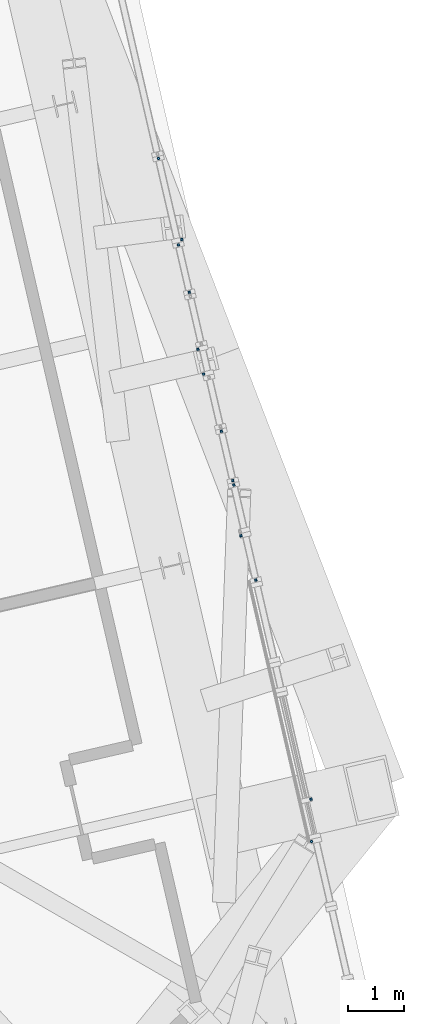
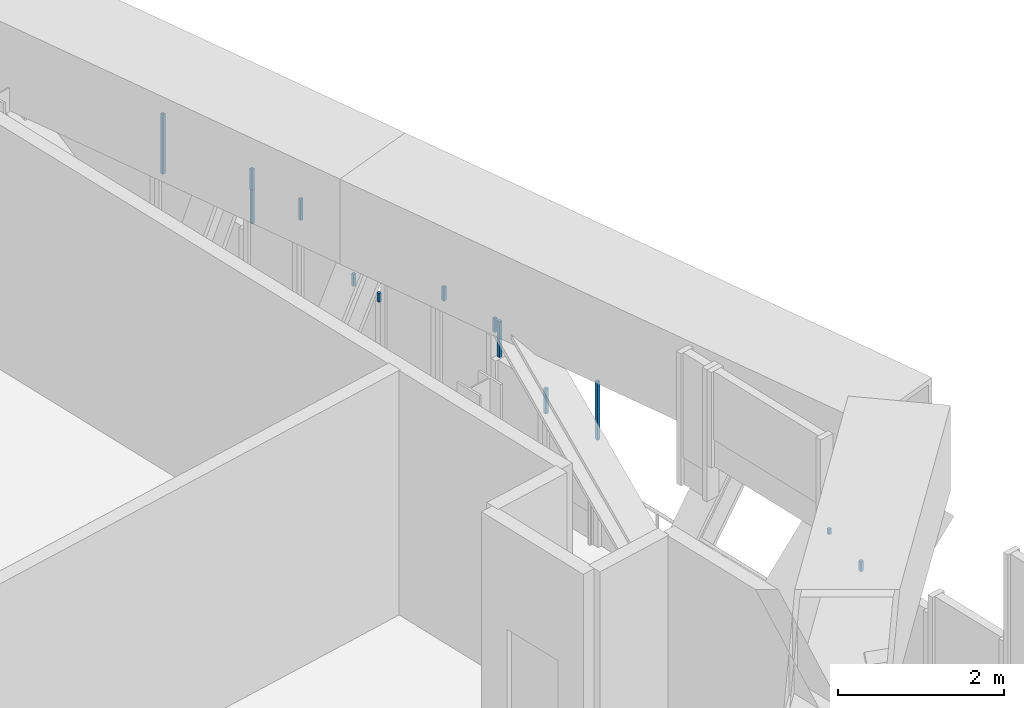
# One storey, part 24 of 31: 13 discrete accessories.
"""IFC4 building model written with IfcOpenShell, lengths in metres."""

from ifc_helpers import new_model, si_unit, direction, frame, origin, origin_2d, place, context, subcontext, project, spatial, rectangle, extrude, source, transform, mapped, material, element, save


model = new_model("IFC4")

# Units and contexts
model_context = context("Model", 3, precision=1e-05, world=origin(), true_north=direction((0.0, 1.0)))
body_context = subcontext(model_context, "Body", "Model", "MODEL_VIEW")
ifc_project = project(units=[si_unit("LENGTHUNIT", "METRE"), si_unit("AREAUNIT", "SQUARE_METRE"), si_unit("VOLUMEUNIT", "CUBIC_METRE"), si_unit("PLANEANGLEUNIT", "RADIAN"), si_unit("MASSUNIT", "GRAM", prefix="KILO")], contexts=[model_context])

# Site, building, storey
site_placement = place(None, origin())
site = spatial("IfcSite", under=ifc_project, at=site_placement, CompositionType="ELEMENT")
building_placement = place(site_placement, origin())
building = spatial("IfcBuilding", under=site, at=building_placement, Name="Triune Harvest Tower", CompositionType="ELEMENT")
storey_placement = place(building_placement, frame((0.0, 0.0, 134.300048828125)))
storey = spatial("IfcBuildingStorey", under=building, at=storey_placement, Name="L34", CompositionType="ELEMENT", Elevation=134.300048828125)

# Discrete accessories
ifc_material = material(Name="Steel ASTM A992 Gr 50", Category="steel")
shared_shape_1 = source(origin(), body_context, "Body", "SweptSolid", [
    extrude(rectangle(XDim=0.0400390625, YDim=0.0400390625, at=origin_2d()), origin(), (0.0, 0.0, 1.0), 0.8623046875),
])
discrete_accessory_1_placement = place(storey_placement, frame((25.376708984375, -12.011474609375, 1.48779296875), z_axis=(0.0, 0.0, 1.0), x_axis=(-0.224900036138, 0.974381841859, 0.0)))
element("IfcDiscreteAccessory", 1, at=discrete_accessory_1_placement, inside=storey, material=ifc_material, Name="Mullion end bracket B3-F1 L34.701 upper", ObjectType="BRACKET", PredefinedType="USERDEFINED", context=body_context, shape_type="MappedRepresentation", body=[
    mapped(shared_shape_1, transform((0.0, 0.0, 0.0), scale=1.0)),
])
shared_shape_2 = source(origin(), body_context, "Body", "SweptSolid", [
    extrude(rectangle(XDim=0.0400390625, YDim=0.0400390625, at=origin_2d()), origin(), (0.0, 0.0, 1.0), 0.53271484375),
])
discrete_accessory_2_placement = place(storey_placement, frame((24.98681640625, -10.322509765625, 1.817138671875), z_axis=(0.0, 0.0, 1.0), x_axis=(-0.225003772508, 0.974357892336, 0.0)))
element("IfcDiscreteAccessory", 2, at=discrete_accessory_2_placement, inside=storey, material=ifc_material, Name="Mullion end bracket B3-F1 L34.801 upper", ObjectType="BRACKET", PredefinedType="USERDEFINED", context=body_context, shape_type="MappedRepresentation", body=[
    mapped(shared_shape_2, transform((0.0, 0.0, 0.0), scale=1.0)),
])
shared_shape_3 = source(origin(), body_context, "Body", "SweptSolid", [
    extrude(rectangle(XDim=0.0400390625, YDim=0.0400390625, at=origin_2d()), origin(), (0.0, 0.0, 1.0), 0.203369140625),
])
for number, where, z_axis, x_axis, name in (
    (3, (24.96875, -10.24462890625, 2.146484375), (0.0, 0.0, 1.0), (-0.224971461453, 0.974365353208, 0.0), "Mullion end bracket B3-F1 L34.901 upper"),
    (4, (24.76611328125, -9.36767578125, 2.146484375), (0.0, 0.0, 1.0), (-0.224971461453, 0.974365353208, 0.0), "Mullion end bracket B3-F1 L34.901 upper"),
):
    element("IfcDiscreteAccessory", number, at=place(storey_placement, frame(where, z_axis=z_axis, x_axis=x_axis)), inside=storey, material=ifc_material, Name=name, ObjectType="BRACKET", PredefinedType="USERDEFINED", context=body_context, shape_type="MappedRepresentation", body=[
        mapped(shared_shape_3, transform((0.0, 0.0, 0.0), scale=1.0)),
    ])
shared_shape_4 = source(origin(), body_context, "Body", "SweptSolid", [
    extrude(rectangle(XDim=0.0400390625, YDim=0.0400390625, at=origin_2d()), origin(), (0.0, 0.0, 1.0), 0.312744140625),
])
for number, where, z_axis, x_axis, name in (
    (5, (24.1962890625, -6.89892578125, 2.037109375), (0.0, 0.0, 1.0), (-0.224959557318, 0.97436810168, 0.0), "Mullion end bracket B3-F1 L34.1301 upper"),
    (6, (24.00244140625, -6.05908203125, 2.037109375), (0.0, 0.0, 1.0), (-0.224959557318, 0.97436810168, 0.0), "Mullion end bracket B3-F1 L34.1301 upper"),
):
    element("IfcDiscreteAccessory", number, at=place(storey_placement, frame(where, z_axis=z_axis, x_axis=x_axis)), inside=storey, material=ifc_material, Name=name, ObjectType="BRACKET", PredefinedType="USERDEFINED", context=body_context, shape_type="MappedRepresentation", body=[
        mapped(shared_shape_4, transform((0.0, 0.0, 0.0), scale=1.0)),
    ])
discrete_accessory_3_placement = place(storey_placement, frame((26.3662109375, -16.654052734375, 2.022705078125), z_axis=(0.0, 0.0, 1.0), x_axis=(-0.224900036138, 0.974381841859, 0.0)))
element("IfcDiscreteAccessory", 7, at=discrete_accessory_3_placement, inside=storey, material=ifc_material, Name="Mullion end bracket B3-F1 L34.201 upper", ObjectType="BRACKET", PredefinedType="USERDEFINED", context=body_context, shape_type="SweptSolid", body=[
    extrude(rectangle(XDim=0.0400390625, YDim=0.0400390625, at=origin_2d()), origin(), (0.0, 0.0, 1.0), 0.15087890625),
])
discrete_accessory_4_placement = place(storey_placement, frame((26.357177734375, -15.90283203125, 2.114013671875), z_axis=(0.0, 0.0, 1.0), x_axis=(-0.224939150151, 0.974372813008, 0.0)))
element("IfcDiscreteAccessory", 8, at=discrete_accessory_4_placement, inside=storey, material=ifc_material, Name="Mullion end bracket B3-F1 L34.301 lower", ObjectType="BRACKET", PredefinedType="USERDEFINED", context=body_context, shape_type="SweptSolid", body=[
    extrude(rectangle(XDim=0.0400390625, YDim=0.0400390625, at=origin_2d()), origin(), (0.0, 0.0, 1.0), 0.08056640625),
])
discrete_accessory_5_placement = place(storey_placement, frame((25.11279296875, -11.22412109375, 1.48779296875), z_axis=(0.0, 0.0, 1.0), x_axis=(-0.224900036138, 0.974381841859, 0.0)))
element("IfcDiscreteAccessory", 9, at=discrete_accessory_5_placement, inside=storey, material=ifc_material, Name="Mullion end bracket B3-F1 L34.701 upper", ObjectType="BRACKET", PredefinedType="USERDEFINED", context=body_context, shape_type="SweptSolid", body=[
    extrude(rectangle(XDim=0.0400390625, YDim=0.0400390625, at=origin_2d()), origin(), (0.0, 0.0, 1.0), 0.373291015625),
])
discrete_accessory_6_placement = place(storey_placement, frame((24.44970703125, -8.3525390625, 1.62548828125), z_axis=(0.0, 0.0, 1.0), x_axis=(-0.224832010905, 0.974397540469, 0.0)))
element("IfcDiscreteAccessory", 10, at=discrete_accessory_6_placement, inside=storey, material=ifc_material, Name="Mullion end bracket B3-F1 L34.1101 upper", ObjectType="BRACKET", PredefinedType="USERDEFINED", context=body_context, shape_type="SweptSolid", body=[
    extrude(rectangle(XDim=0.0400390625, YDim=0.0400390625, at=origin_2d()), origin(), (0.0, 0.0, 1.0), 0.12841796875),
])
discrete_accessory_7_placement = place(storey_placement, frame((24.34814453125, -7.91259765625, 1.62548828125), z_axis=(0.0, 0.0, 1.0), x_axis=(-0.224832010905, 0.974397540469, 0.0)))
element("IfcDiscreteAccessory", 11, at=discrete_accessory_7_placement, inside=storey, material=ifc_material, Name="Mullion end bracket B3-F1 L34.1101 upper", ObjectType="BRACKET", PredefinedType="USERDEFINED", context=body_context, shape_type="SweptSolid", body=[
    extrude(rectangle(XDim=0.0400390625, YDim=0.0400390625, at=origin_2d()), origin(), (0.0, 0.0, 1.0), 0.180419921875),
])
discrete_accessory_8_placement = place(storey_placement, frame((24.0625, -5.963134765625, 1.467041015625), z_axis=(0.0, 0.0, 1.0), x_axis=(-0.224942551352, 0.974372027816, 0.0)))
element("IfcDiscreteAccessory", 12, at=discrete_accessory_8_placement, inside=storey, material=ifc_material, Name="Mullion end bracket B3-F1 L34.1401 upper", ObjectType="BRACKET", PredefinedType="USERDEFINED", context=body_context, shape_type="SweptSolid", body=[
    extrude(rectangle(XDim=0.0400390625, YDim=0.0400390625, at=origin_2d()), origin(), (0.0, 0.0, 1.0), 0.6259765625),
])
discrete_accessory_9_placement = place(storey_placement, frame((23.648193359375, -4.5244140625, 1.467041015625), z_axis=(0.0, 0.0, 1.0), x_axis=(-0.224942551352, 0.974372027816, 0.0)))
element("IfcDiscreteAccessory", 13, at=discrete_accessory_9_placement, inside=storey, material=ifc_material, Name="Mullion end bracket B3-F1 L34.1401 upper", ObjectType="BRACKET", PredefinedType="USERDEFINED", context=body_context, shape_type="SweptSolid", body=[
    extrude(rectangle(XDim=0.0400390625, YDim=0.0400390625, at=origin_2d()), origin(), (0.0, 0.0, 1.0), 0.8828125),
])

save(model, "model.ifc")
